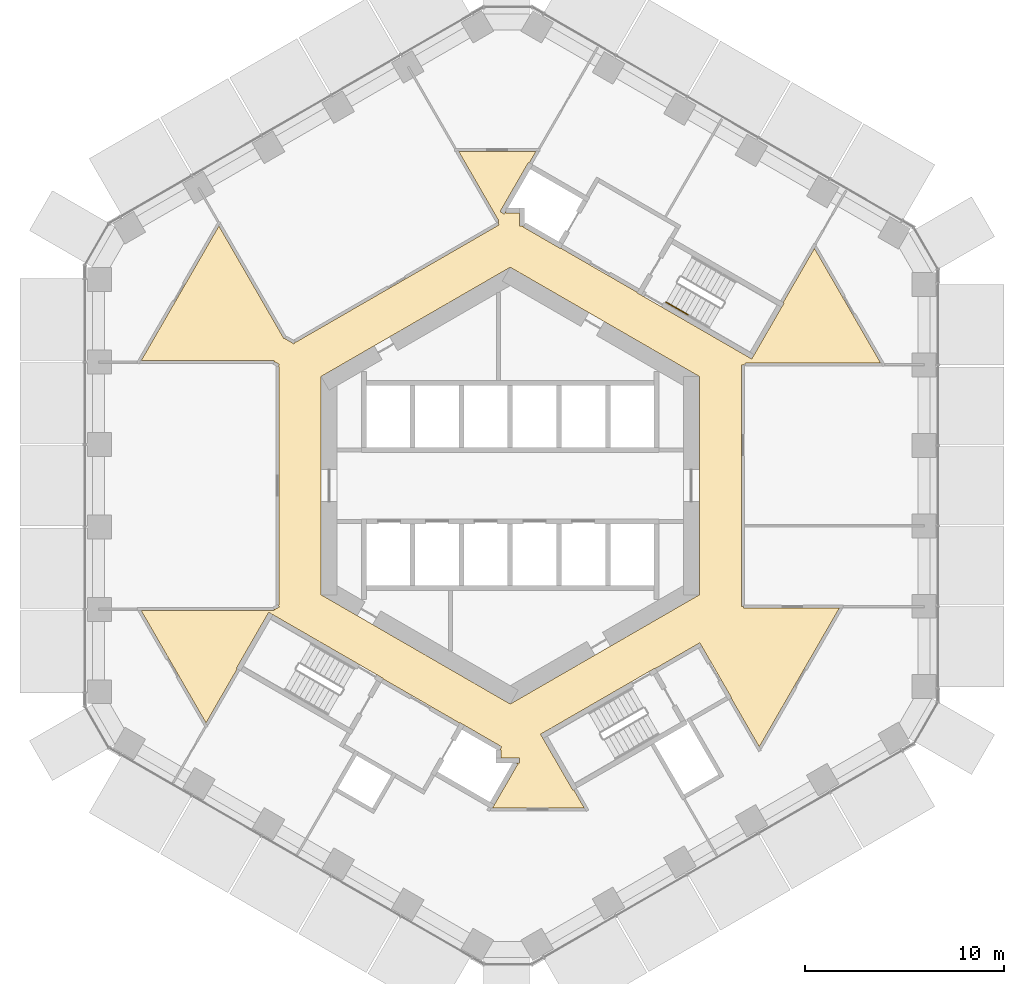
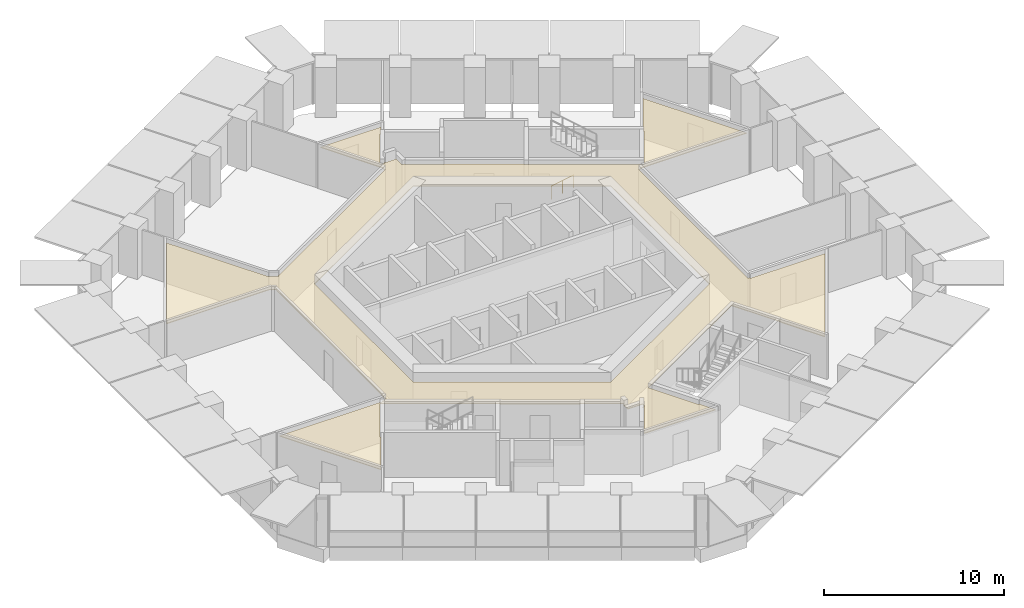
# One storey, part 18 of 19: 1 covering, 1 railing.
"""IFC4 building model written with IfcOpenShell, lengths in metres."""

from ifc_helpers import new_model, si_unit, direction, frame, origin, origin_2d, place, context, subcontext, project, spatial, polyline, circle, outline, extrude, material, layer, layer_set, type_object, element, save


model = new_model("IFC4")

# Units and contexts
model_context = context("Model", 3, precision=1e-05, world=origin(), true_north=direction((0.0, 1.0)))
body_context = subcontext(model_context, "Body", "Model", "MODEL_VIEW")
ifc_project = project(units=[si_unit("LENGTHUNIT", "METRE"), si_unit("AREAUNIT", "SQUARE_METRE"), si_unit("VOLUMEUNIT", "CUBIC_METRE"), si_unit("PLANEANGLEUNIT", "RADIAN"), si_unit("MASSUNIT", "GRAM", prefix="KILO")], contexts=[model_context])

# Site, building, storey
site_placement = place(None, origin())
site = spatial("IfcSite", under=ifc_project, at=site_placement, CompositionType="ELEMENT")
building_placement = place(site_placement, origin())
building = spatial("IfcBuilding", under=site, at=building_placement, Name="Ayvan Gate Tower", CompositionType="ELEMENT")
storey_placement = place(building_placement, frame((0.0, 0.0, 32.300048828125)))
storey = spatial("IfcBuildingStorey", under=building, at=storey_placement, Name="L07", CompositionType="ELEMENT", Elevation=32.300048828125)

# Covering
ifc_material_1 = material(Name="Plasterboard suspended ceiling")
ifc_layer = layer(ifc_material_1, 0.050048828125)
ifc_layer_set = layer_set([ifc_layer], Name="Plasterboard suspended ceiling")
covering_type = type_object("IfcCoveringType", Name="CT-SUSP-50", PredefinedType="CEILING", material=ifc_layer_set)
covering_placement = place(storey_placement, frame((0.0, 0.0, 2.699951171875)))
element("IfcCovering", 1, at=covering_placement, inside=storey, type_object=covering_type, Name="Ceiling Ring Corridor L07", PredefinedType="CEILING", context=body_context, shape_type="SweptSolid", body=[
    extrude(outline(polyline([(-11.914794921875, -6.48681640625), (-12.131103515625, -6.36181640625), (-13.756103515625, -9.17626953125), (-13.712890625, -9.201416015625), (-15.281005859375, -11.91748046875), (-18.53759765625, -6.27685546875), (-11.866943359375, -6.27685546875), (-11.866943359375, -6.181640625), (-11.839599609375, -6.2294921875), (-11.597412109375, -6.089599609375), (-11.656494140625, -5.9873046875), (-11.625, -5.9873046875), (-11.625, 5.9873046875), (-11.656494140625, 5.9873046875), (-11.597412109375, 6.089599609375), (-11.839599609375, 6.2294921875), (-11.866943359375, 6.181640625), (-11.866943359375, 6.27685546875), (-18.53759765625, 6.27685546875), (-14.633544921875, 13.038818359375), (-11.36572265625, 7.37890625), (-11.338134765625, 7.39501953125), (-10.862548828125, 7.1201171875), (-10.803466796875, 7.22265625), (-10.78759765625, 7.1953125), (-0.5625, 13.0986328125), (-0.60009765625, 13.16357421875), (-0.60009765625, 13.305908203125), (-0.58251953125, 13.31591796875), (-0.60009765625, 13.34619140625), (-0.60009765625, 13.36083984375), (-0.604248046875, 13.353515625), (-2.589599609375, 16.79248046875), (1.294677734375, 16.79248046875), (0.962158203125, 16.216552734375), (0.918701171875, 16.241455078125), (-0.511474609375, 13.76416015625), (-0.294921875, 13.63916015625), (-0.215576171875, 13.776611328125), (-0.215576171875, 13.68505859375), (0.47509765625, 13.68505859375), (0.47509765625, 13.03857421875), (0.672119140625, 13.03857421875), (0.645751953125, 12.992919921875), (2.518310546875, 11.91162109375), (2.53076171875, 11.933349609375), (6.384521484375, 9.70849609375), (6.3720703125, 9.686767578125), (6.588623046875, 9.561767578125), (12.131103515625, 6.36181640625), (12.24609375, 6.56103515625), (13.631103515625, 8.959716796875), (13.756103515625, 9.176513671875), (13.712890625, 9.201416015625), (15.281005859375, 11.917236328125), (18.608642578125, 6.153564453125), (11.86669921875, 6.153564453125), (11.870849609375, 6.160888671875), (11.858154296875, 6.153564453125), (11.8232421875, 6.153564453125), (11.8232421875, 6.13330078125), (11.699951171875, 6.062255859375), (11.625, 6.062255859375), (11.625, -6.062255859375), (11.699951171875, -6.062255859375), (11.728271484375, -6.07861328125), (11.728271484375, -6.153564453125), (16.5302734375, -6.153564453125), (12.509765625, -13.117431640625), (11.102294921875, -10.6796875), (11.123779296875, -10.667236328125), (9.623779296875, -8.069091796875), (9.52392578125, -7.89599609375), (7.2939453125, -9.183349609375), (7.281494140625, -9.16162109375), (1.522216796875, -12.48681640625), (1.647216796875, -12.703369140625), (3.147216796875, -15.30126953125), (3.190673828125, -15.2763671875), (3.719482421875, -16.1923828125), (-0.890380859375, -16.1923828125), (-0.803955078125, -16.042236328125), (0.386474609375, -13.980712890625), (0.30712890625, -13.93505859375), (0.465576171875, -13.93505859375), (0.465576171875, -13.68505859375), (-0.47509765625, -13.68505859375), (-0.47509765625, -13.28857421875), (-0.52783203125, -13.28857421875), (-0.42919921875, -13.117919921875), (-2.284423828125, -12.046630859375), (-2.518310546875, -11.91162109375), (-2.53076171875, -11.933349609375), (-6.384521484375, -9.70849609375), (-6.3720703125, -9.686767578125), (-11.91455078125, -6.48681640625), (-11.914794921875, -6.48681640625)]), holes=[polyline([(-2.808349609375, -9.34814453125), (0.0, -10.9697265625), (2.808349609375, -9.34814453125), (9.5, -5.48486328125), (9.5, 5.48486328125), (2.808349609375, 9.34814453125), (0.0, 10.9697265625), (-2.808349609375, 9.34814453125), (-9.5, 5.48486328125), (-9.5, -5.48486328125), (-2.808349609375, -9.34814453125)])]), origin(), (0.0, 0.0, 1.0), 0.050048828125),
])

# Railing
ifc_material_2 = material(Name="Stainless steel balustrade", Category="steel")
railing_type = type_object("IfcRailingType", Name="RL-HANDRAIL-900", PredefinedType="HANDRAIL", material=ifc_material_2)
railing_placement = place(storey_placement, frame((7.8310546875, 9.2138671875, 0.169921875)))
element("IfcRailing", 2, at=railing_placement, inside=storey, type_object=railing_type, Name="L07 STS1 stair handrail 1", PredefinedType="HANDRAIL", context=body_context, shape_type="SweptSolid", body=[
    extrude(circle(Radius=0.02392578125, at=origin_2d()), frame((0.0, 0.0, 0.8759765625), z_axis=(0.740292964666, -0.42728318766, 0.519033143459), x_axis=(0.499890179513, 0.866088799389, 0.0)), (0.0, 0.0, 1.0), 1.47412109375),
    extrude(circle(Radius=0.02099609375, at=origin_2d()), origin(), (0.0, 0.0, 1.0), 0.851806640625),
    extrude(circle(Radius=0.02099609375, at=origin_2d()), frame((0.545654296875, -0.31494140625, 0.382568359375)), (0.0, 0.0, 1.0), 0.851806640625),
    extrude(circle(Radius=0.02099609375, at=origin_2d()), frame((1.09130859375, -0.6298828125, 0.76513671875)), (0.0, 0.0, 1.0), 0.851806640625),
])

save(model, "model.ifc")
